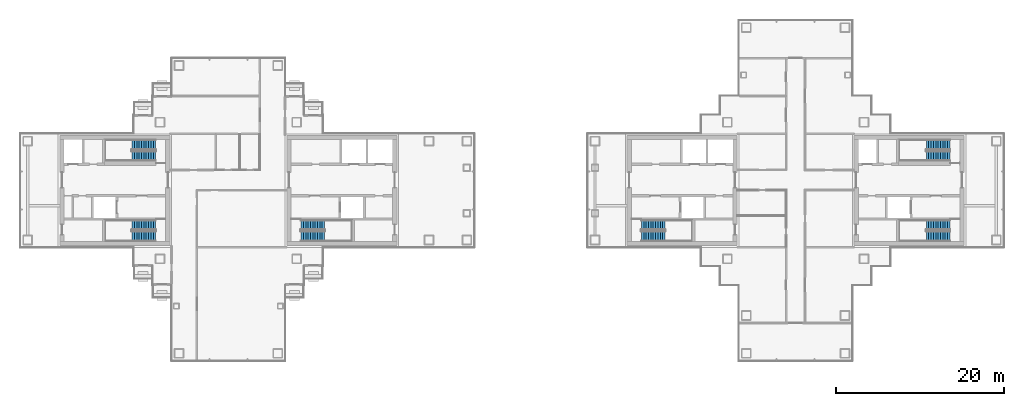
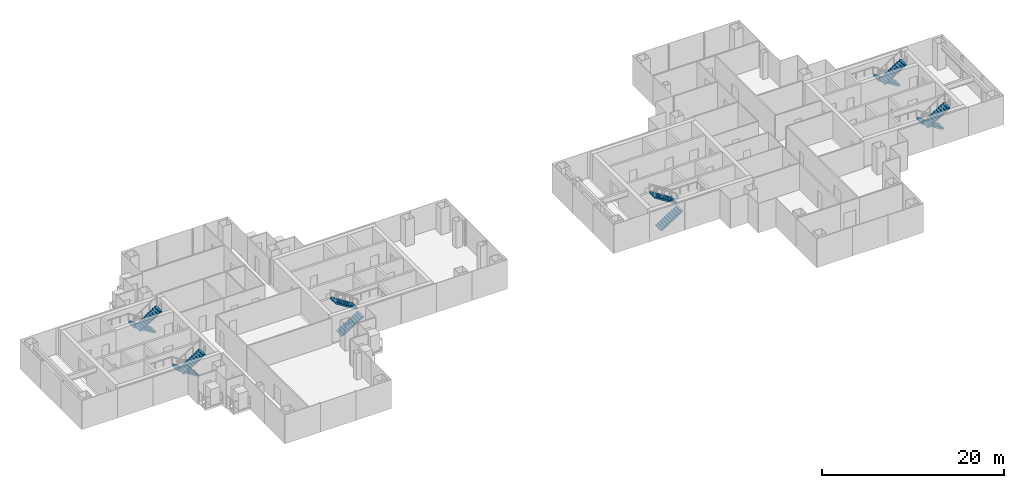
# One storey, part 13 of 16: 12 stair flights, 6 elements without a shape of their own.
"""IFC4 building model written with IfcOpenShell, lengths in metres."""

from ifc_helpers import new_model, si_unit, direction, frame, origin, place, context, subcontext, project, spatial, polyline, outline, extrude, material, type_object, element, aggregate, save


model = new_model("IFC4")

# Units and contexts
model_context = context("Model", 3, precision=1e-05, world=origin(), true_north=direction((0.0, 1.0)))
body_context = subcontext(model_context, "Body", "Model", "MODEL_VIEW")
ifc_project = project(units=[si_unit("LENGTHUNIT", "METRE"), si_unit("AREAUNIT", "SQUARE_METRE"), si_unit("VOLUMEUNIT", "CUBIC_METRE"), si_unit("PLANEANGLEUNIT", "RADIAN"), si_unit("MASSUNIT", "GRAM", prefix="KILO")], contexts=[model_context])

# Site, building, storey
site_placement = place(None, origin())
site = spatial("IfcSite", under=ifc_project, at=site_placement, CompositionType="ELEMENT")
building_placement = place(site_placement, origin())
building = spatial("IfcBuilding", under=site, at=building_placement, Name="Shamsa Quay Exchange Towers", CompositionType="ELEMENT")
storey_placement = place(building_placement, frame((0.0, 0.0, 154.5)))
storey = spatial("IfcBuildingStorey", under=building, at=storey_placement, Name="L36", CompositionType="ELEMENT", Elevation=154.5)

# Stair, stair flights
ifc_material = material(Name="Concrete C40/50", Category="concrete")
stair_type = type_object("IfcStairType", Name="EXIT STAIR 22 RISERS 177 MM", PredefinedType="HALF_TURN_STAIR", material=ifc_material)
stair_1_placement = place(storey_placement, origin())
stair_1 = element("IfcStair", 1, at=stair_1_placement, inside=storey, type_object=stair_type, Name="L36 Exit stair ST1", PredefinedType="HALF_TURN_STAIR")
stair_flight_type = type_object("IfcStairFlightType", Name="EXIT STAIR FLIGHT 11 RISERS 177 MM", PredefinedType="STRAIGHT", material=ifc_material)
stair_flight_1_placement = place(storey_placement, frame((-25.10009765625, -5.449951171875, 0.0)))
stair_flight_1 = element("IfcStairFlight", 2, at=stair_flight_1_placement, type_object=stair_flight_type, Name="ST1 flight 1", NumberOfRisers=11, NumberOfTreads=10, PredefinedType="STRAIGHT", RiserHeight=0.177272727, TreadLength=0.28, context=body_context, shape_type="SweptSolid", body=[
    extrude(outline(polyline([(0.0, 0.0), (0.0, 0.17724609375), (0.280029296875, 0.17724609375), (0.280029296875, 0.3544921875), (0.56005859375, 0.3544921875), (0.56005859375, 0.53173828125), (0.840087890625, 0.53173828125), (0.840087890625, 0.708984375), (1.1201171875, 0.708984375), (1.1201171875, 0.886474609375), (1.39990234375, 0.886474609375), (1.39990234375, 1.063720703125), (1.679931640625, 1.063720703125), (1.679931640625, 1.240966796875), (1.9599609375, 1.240966796875), (1.9599609375, 1.418212890625), (2.239990234375, 1.418212890625), (2.239990234375, 1.595458984375), (2.52001953125, 1.595458984375), (2.52001953125, 1.772705078125), (2.800048828125, 1.772705078125), (2.800048828125, 1.949951171875), (2.800048828125, 1.607177734375), (0.261474609375, 0.0), (0.0, 0.0)])), frame((0.0, 0.60009765625, 0.0), z_axis=(0.0, -1.0, 0.0), x_axis=(1.0, 0.0, 0.0)), (0.0, 0.0, 1.0), 1.199951171875),
])
stair_flight_2_placement = place(storey_placement, frame((-22.300048828125, -4.10009765625, 1.949951171875), z_axis=(0.0, 0.0, 1.0), x_axis=(-1.0, 0.0, 0.0)))
stair_flight_2 = element("IfcStairFlight", 3, at=stair_flight_2_placement, type_object=stair_flight_type, Name="ST1 flight 2", NumberOfRisers=11, NumberOfTreads=10, PredefinedType="STRAIGHT", RiserHeight=0.177272727, TreadLength=0.28, context=body_context, shape_type="SweptSolid", body=[
    extrude(outline(polyline([(0.0, 0.0), (0.0, 0.17724609375), (0.280029296875, 0.17724609375), (0.280029296875, 0.3544921875), (0.56005859375, 0.3544921875), (0.56005859375, 0.53173828125), (0.840087890625, 0.53173828125), (0.840087890625, 0.708984375), (1.1201171875, 0.708984375), (1.1201171875, 0.886474609375), (1.39990234375, 0.886474609375), (1.39990234375, 1.063720703125), (1.679931640625, 1.063720703125), (1.679931640625, 1.240966796875), (1.9599609375, 1.240966796875), (1.9599609375, 1.418212890625), (2.239990234375, 1.418212890625), (2.239990234375, 1.595458984375), (2.52001953125, 1.595458984375), (2.52001953125, 1.772705078125), (2.800048828125, 1.772705078125), (2.800048828125, 1.949951171875), (2.800048828125, 1.607177734375), (0.261474609375, 0.0), (0.0, 0.0)])), frame((0.0, 0.60009765625, 0.0), z_axis=(0.0, -1.0, 0.0), x_axis=(1.0, 0.0, 0.0)), (0.0, 0.0, 1.0), 1.199951171875),
])
aggregate(stair_1, [stair_flight_1, stair_flight_2])

stair_2_placement = place(storey_placement, origin())
stair_2 = element("IfcStair", 4, at=stair_2_placement, inside=storey, type_object=stair_type, Name="L36 Exit stair ST2", PredefinedType="HALF_TURN_STAIR")
stair_flight_3_placement = place(storey_placement, frame((-42.39990234375, -4.10009765625, 0.0), z_axis=(0.0, 0.0, 1.0), x_axis=(-1.0, 0.0, 0.0)))
stair_flight_3 = element("IfcStairFlight", 5, at=stair_flight_3_placement, type_object=stair_flight_type, Name="ST2 flight 1", NumberOfRisers=11, NumberOfTreads=10, PredefinedType="STRAIGHT", RiserHeight=0.177272727, TreadLength=0.28, context=body_context, shape_type="SweptSolid", body=[
    extrude(outline(polyline([(0.0, 0.0), (0.0, 0.17724609375), (0.280029296875, 0.17724609375), (0.280029296875, 0.3544921875), (0.56005859375, 0.3544921875), (0.56005859375, 0.53173828125), (0.840087890625, 0.53173828125), (0.840087890625, 0.708984375), (1.1201171875, 0.708984375), (1.1201171875, 0.886474609375), (1.39990234375, 0.886474609375), (1.39990234375, 1.063720703125), (1.679931640625, 1.063720703125), (1.679931640625, 1.240966796875), (1.9599609375, 1.240966796875), (1.9599609375, 1.418212890625), (2.239990234375, 1.418212890625), (2.239990234375, 1.595458984375), (2.52001953125, 1.595458984375), (2.52001953125, 1.772705078125), (2.800048828125, 1.772705078125), (2.800048828125, 1.949951171875), (2.800048828125, 1.607177734375), (0.261474609375, 0.0), (0.0, 0.0)])), frame((0.0, 0.60009765625, 0.0), z_axis=(0.0, -1.0, 0.0), x_axis=(1.0, 0.0, 0.0)), (0.0, 0.0, 1.0), 1.199951171875),
])
stair_flight_4_placement = place(storey_placement, frame((-45.199951171875, -5.449951171875, 1.949951171875)))
stair_flight_4 = element("IfcStairFlight", 6, at=stair_flight_4_placement, type_object=stair_flight_type, Name="ST2 flight 2", NumberOfRisers=11, NumberOfTreads=10, PredefinedType="STRAIGHT", RiserHeight=0.177272727, TreadLength=0.28, context=body_context, shape_type="SweptSolid", body=[
    extrude(outline(polyline([(0.0, 0.0), (0.0, 0.17724609375), (0.280029296875, 0.17724609375), (0.280029296875, 0.3544921875), (0.56005859375, 0.3544921875), (0.56005859375, 0.53173828125), (0.840087890625, 0.53173828125), (0.840087890625, 0.708984375), (1.1201171875, 0.708984375), (1.1201171875, 0.886474609375), (1.39990234375, 0.886474609375), (1.39990234375, 1.063720703125), (1.679931640625, 1.063720703125), (1.679931640625, 1.240966796875), (1.9599609375, 1.240966796875), (1.9599609375, 1.418212890625), (2.239990234375, 1.418212890625), (2.239990234375, 1.595458984375), (2.52001953125, 1.595458984375), (2.52001953125, 1.772705078125), (2.800048828125, 1.772705078125), (2.800048828125, 1.949951171875), (2.800048828125, 1.607177734375), (0.261474609375, 0.0), (0.0, 0.0)])), frame((0.0, 0.60009765625, 0.0), z_axis=(0.0, -1.0, 0.0), x_axis=(1.0, 0.0, 0.0)), (0.0, 0.0, 1.0), 1.199951171875),
])
aggregate(stair_2, [stair_flight_3, stair_flight_4])

stair_3_placement = place(storey_placement, origin())
stair_3 = element("IfcStair", 7, at=stair_3_placement, inside=storey, type_object=stair_type, Name="L36 Exit stair ST3", PredefinedType="HALF_TURN_STAIR")
stair_flight_5_placement = place(storey_placement, frame((-42.39990234375, 5.449951171875, 0.0), z_axis=(0.0, 0.0, 1.0), x_axis=(-1.0, 0.0, 0.0)))
stair_flight_5 = element("IfcStairFlight", 8, at=stair_flight_5_placement, type_object=stair_flight_type, Name="ST3 flight 1", NumberOfRisers=11, NumberOfTreads=10, PredefinedType="STRAIGHT", RiserHeight=0.177272727, TreadLength=0.28, context=body_context, shape_type="SweptSolid", body=[
    extrude(outline(polyline([(0.0, 0.0), (0.0, 0.17724609375), (0.280029296875, 0.17724609375), (0.280029296875, 0.3544921875), (0.56005859375, 0.3544921875), (0.56005859375, 0.53173828125), (0.840087890625, 0.53173828125), (0.840087890625, 0.708984375), (1.1201171875, 0.708984375), (1.1201171875, 0.886474609375), (1.39990234375, 0.886474609375), (1.39990234375, 1.063720703125), (1.679931640625, 1.063720703125), (1.679931640625, 1.240966796875), (1.9599609375, 1.240966796875), (1.9599609375, 1.418212890625), (2.239990234375, 1.418212890625), (2.239990234375, 1.595458984375), (2.52001953125, 1.595458984375), (2.52001953125, 1.772705078125), (2.800048828125, 1.772705078125), (2.800048828125, 1.949951171875), (2.800048828125, 1.607177734375), (0.261474609375, 0.0), (0.0, 0.0)])), frame((0.0, 0.60009765625, 0.0), z_axis=(0.0, -1.0, 0.0), x_axis=(1.0, 0.0, 0.0)), (0.0, 0.0, 1.0), 1.199951171875),
])
stair_flight_6_placement = place(storey_placement, frame((-45.199951171875, 4.10009765625, 1.949951171875)))
stair_flight_6 = element("IfcStairFlight", 9, at=stair_flight_6_placement, type_object=stair_flight_type, Name="ST3 flight 2", NumberOfRisers=11, NumberOfTreads=10, PredefinedType="STRAIGHT", RiserHeight=0.177272727, TreadLength=0.28, context=body_context, shape_type="SweptSolid", body=[
    extrude(outline(polyline([(0.0, 0.0), (0.0, 0.17724609375), (0.280029296875, 0.17724609375), (0.280029296875, 0.3544921875), (0.56005859375, 0.3544921875), (0.56005859375, 0.53173828125), (0.840087890625, 0.53173828125), (0.840087890625, 0.708984375), (1.1201171875, 0.708984375), (1.1201171875, 0.886474609375), (1.39990234375, 0.886474609375), (1.39990234375, 1.063720703125), (1.679931640625, 1.063720703125), (1.679931640625, 1.240966796875), (1.9599609375, 1.240966796875), (1.9599609375, 1.418212890625), (2.239990234375, 1.418212890625), (2.239990234375, 1.595458984375), (2.52001953125, 1.595458984375), (2.52001953125, 1.772705078125), (2.800048828125, 1.772705078125), (2.800048828125, 1.949951171875), (2.800048828125, 1.607177734375), (0.261474609375, 0.0), (0.0, 0.0)])), frame((0.0, 0.60009765625, 0.0), z_axis=(0.0, -1.0, 0.0), x_axis=(1.0, 0.0, 0.0)), (0.0, 0.0, 1.0), 1.199951171875),
])
aggregate(stair_3, [stair_flight_5, stair_flight_6])

stair_4_placement = place(storey_placement, origin())
stair_4 = element("IfcStair", 10, at=stair_4_placement, inside=storey, type_object=stair_type, Name="L36 Exit stair ST4", PredefinedType="HALF_TURN_STAIR")
stair_flight_7_placement = place(storey_placement, frame((15.39990234375, -5.449951171875, 0.0)))
stair_flight_7 = element("IfcStairFlight", 11, at=stair_flight_7_placement, type_object=stair_flight_type, Name="ST4 flight 1", NumberOfRisers=11, NumberOfTreads=10, PredefinedType="STRAIGHT", RiserHeight=0.177272727, TreadLength=0.28, context=body_context, shape_type="SweptSolid", body=[
    extrude(outline(polyline([(0.0, 0.0), (0.0, 0.17724609375), (0.280029296875, 0.17724609375), (0.280029296875, 0.3544921875), (0.56005859375, 0.3544921875), (0.56005859375, 0.53173828125), (0.840087890625, 0.53173828125), (0.840087890625, 0.708984375), (1.1201171875, 0.708984375), (1.1201171875, 0.886474609375), (1.39990234375, 0.886474609375), (1.39990234375, 1.063720703125), (1.679931640625, 1.063720703125), (1.679931640625, 1.240966796875), (1.9599609375, 1.240966796875), (1.9599609375, 1.418212890625), (2.239990234375, 1.418212890625), (2.239990234375, 1.595458984375), (2.52001953125, 1.595458984375), (2.52001953125, 1.772705078125), (2.800048828125, 1.772705078125), (2.800048828125, 1.949951171875), (2.800048828125, 1.607177734375), (0.261474609375, 0.0), (0.0, 0.0)])), frame((0.0, 0.60009765625, 0.0), z_axis=(0.0, -1.0, 0.0), x_axis=(1.0, 0.0, 0.0)), (0.0, 0.0, 1.0), 1.199951171875),
])
stair_flight_8_placement = place(storey_placement, frame((18.199951171875, -4.10009765625, 1.949951171875), z_axis=(0.0, 0.0, 1.0), x_axis=(-1.0, 0.0, 0.0)))
stair_flight_8 = element("IfcStairFlight", 12, at=stair_flight_8_placement, type_object=stair_flight_type, Name="ST4 flight 2", NumberOfRisers=11, NumberOfTreads=10, PredefinedType="STRAIGHT", RiserHeight=0.177272727, TreadLength=0.28, context=body_context, shape_type="SweptSolid", body=[
    extrude(outline(polyline([(0.0, 0.0), (0.0, 0.17724609375), (0.280029296875, 0.17724609375), (0.280029296875, 0.3544921875), (0.56005859375, 0.3544921875), (0.56005859375, 0.53173828125), (0.840087890625, 0.53173828125), (0.840087890625, 0.708984375), (1.1201171875, 0.708984375), (1.1201171875, 0.886474609375), (1.39990234375, 0.886474609375), (1.39990234375, 1.063720703125), (1.679931640625, 1.063720703125), (1.679931640625, 1.240966796875), (1.9599609375, 1.240966796875), (1.9599609375, 1.418212890625), (2.239990234375, 1.418212890625), (2.239990234375, 1.595458984375), (2.52001953125, 1.595458984375), (2.52001953125, 1.772705078125), (2.800048828125, 1.772705078125), (2.800048828125, 1.949951171875), (2.800048828125, 1.607177734375), (0.261474609375, 0.0), (0.0, 0.0)])), frame((0.0, 0.60009765625, 0.0), z_axis=(0.0, -1.0, 0.0), x_axis=(1.0, 0.0, 0.0)), (0.0, 0.0, 1.0), 1.199951171875),
])
aggregate(stair_4, [stair_flight_7, stair_flight_8])

stair_5_placement = place(storey_placement, origin())
stair_5 = element("IfcStair", 13, at=stair_5_placement, inside=storey, type_object=stair_type, Name="L36 Exit stair ST5", PredefinedType="HALF_TURN_STAIR")
stair_flight_9_placement = place(storey_placement, frame((52.10009765625, -4.10009765625, 0.0), z_axis=(0.0, 0.0, 1.0), x_axis=(-1.0, 0.0, 0.0)))
stair_flight_9 = element("IfcStairFlight", 14, at=stair_flight_9_placement, type_object=stair_flight_type, Name="ST5 flight 1", NumberOfRisers=11, NumberOfTreads=10, PredefinedType="STRAIGHT", RiserHeight=0.177272727, TreadLength=0.28, context=body_context, shape_type="SweptSolid", body=[
    extrude(outline(polyline([(0.0, 0.0), (0.0, 0.17724609375), (0.280029296875, 0.17724609375), (0.280029296875, 0.3544921875), (0.56005859375, 0.3544921875), (0.56005859375, 0.53173828125), (0.840087890625, 0.53173828125), (0.840087890625, 0.708984375), (1.1201171875, 0.708984375), (1.1201171875, 0.886474609375), (1.39990234375, 0.886474609375), (1.39990234375, 1.063720703125), (1.679931640625, 1.063720703125), (1.679931640625, 1.240966796875), (1.9599609375, 1.240966796875), (1.9599609375, 1.418212890625), (2.239990234375, 1.418212890625), (2.239990234375, 1.595458984375), (2.52001953125, 1.595458984375), (2.52001953125, 1.772705078125), (2.800048828125, 1.772705078125), (2.800048828125, 1.949951171875), (2.800048828125, 1.607177734375), (0.261474609375, 0.0), (0.0, 0.0)])), frame((0.0, 0.60009765625, 0.0), z_axis=(0.0, -1.0, 0.0), x_axis=(1.0, 0.0, 0.0)), (0.0, 0.0, 1.0), 1.199951171875),
])
stair_flight_10_placement = place(storey_placement, frame((49.300048828125, -5.449951171875, 1.949951171875)))
stair_flight_10 = element("IfcStairFlight", 15, at=stair_flight_10_placement, type_object=stair_flight_type, Name="ST5 flight 2", NumberOfRisers=11, NumberOfTreads=10, PredefinedType="STRAIGHT", RiserHeight=0.177272727, TreadLength=0.28, context=body_context, shape_type="SweptSolid", body=[
    extrude(outline(polyline([(0.0, 0.0), (0.0, 0.17724609375), (0.280029296875, 0.17724609375), (0.280029296875, 0.3544921875), (0.56005859375, 0.3544921875), (0.56005859375, 0.53173828125), (0.840087890625, 0.53173828125), (0.840087890625, 0.708984375), (1.1201171875, 0.708984375), (1.1201171875, 0.886474609375), (1.39990234375, 0.886474609375), (1.39990234375, 1.063720703125), (1.679931640625, 1.063720703125), (1.679931640625, 1.240966796875), (1.9599609375, 1.240966796875), (1.9599609375, 1.418212890625), (2.239990234375, 1.418212890625), (2.239990234375, 1.595458984375), (2.52001953125, 1.595458984375), (2.52001953125, 1.772705078125), (2.800048828125, 1.772705078125), (2.800048828125, 1.949951171875), (2.800048828125, 1.607177734375), (0.261474609375, 0.0), (0.0, 0.0)])), frame((0.0, 0.60009765625, 0.0), z_axis=(0.0, -1.0, 0.0), x_axis=(1.0, 0.0, 0.0)), (0.0, 0.0, 1.0), 1.199951171875),
])
aggregate(stair_5, [stair_flight_9, stair_flight_10])

stair_6_placement = place(storey_placement, origin())
stair_6 = element("IfcStair", 16, at=stair_6_placement, inside=storey, type_object=stair_type, Name="L36 Exit stair ST6", PredefinedType="HALF_TURN_STAIR")
stair_flight_11_placement = place(storey_placement, frame((52.10009765625, 5.449951171875, 0.0), z_axis=(0.0, 0.0, 1.0), x_axis=(-1.0, 0.0, 0.0)))
stair_flight_11 = element("IfcStairFlight", 17, at=stair_flight_11_placement, type_object=stair_flight_type, Name="ST6 flight 1", NumberOfRisers=11, NumberOfTreads=10, PredefinedType="STRAIGHT", RiserHeight=0.177272727, TreadLength=0.28, context=body_context, shape_type="SweptSolid", body=[
    extrude(outline(polyline([(0.0, 0.0), (0.0, 0.17724609375), (0.280029296875, 0.17724609375), (0.280029296875, 0.3544921875), (0.56005859375, 0.3544921875), (0.56005859375, 0.53173828125), (0.840087890625, 0.53173828125), (0.840087890625, 0.708984375), (1.1201171875, 0.708984375), (1.1201171875, 0.886474609375), (1.39990234375, 0.886474609375), (1.39990234375, 1.063720703125), (1.679931640625, 1.063720703125), (1.679931640625, 1.240966796875), (1.9599609375, 1.240966796875), (1.9599609375, 1.418212890625), (2.239990234375, 1.418212890625), (2.239990234375, 1.595458984375), (2.52001953125, 1.595458984375), (2.52001953125, 1.772705078125), (2.800048828125, 1.772705078125), (2.800048828125, 1.949951171875), (2.800048828125, 1.607177734375), (0.261474609375, 0.0), (0.0, 0.0)])), frame((0.0, 0.60009765625, 0.0), z_axis=(0.0, -1.0, 0.0), x_axis=(1.0, 0.0, 0.0)), (0.0, 0.0, 1.0), 1.199951171875),
])
stair_flight_12_placement = place(storey_placement, frame((49.300048828125, 4.10009765625, 1.949951171875)))
stair_flight_12 = element("IfcStairFlight", 18, at=stair_flight_12_placement, type_object=stair_flight_type, Name="ST6 flight 2", NumberOfRisers=11, NumberOfTreads=10, PredefinedType="STRAIGHT", RiserHeight=0.177272727, TreadLength=0.28, context=body_context, shape_type="SweptSolid", body=[
    extrude(outline(polyline([(0.0, 0.0), (0.0, 0.17724609375), (0.280029296875, 0.17724609375), (0.280029296875, 0.3544921875), (0.56005859375, 0.3544921875), (0.56005859375, 0.53173828125), (0.840087890625, 0.53173828125), (0.840087890625, 0.708984375), (1.1201171875, 0.708984375), (1.1201171875, 0.886474609375), (1.39990234375, 0.886474609375), (1.39990234375, 1.063720703125), (1.679931640625, 1.063720703125), (1.679931640625, 1.240966796875), (1.9599609375, 1.240966796875), (1.9599609375, 1.418212890625), (2.239990234375, 1.418212890625), (2.239990234375, 1.595458984375), (2.52001953125, 1.595458984375), (2.52001953125, 1.772705078125), (2.800048828125, 1.772705078125), (2.800048828125, 1.949951171875), (2.800048828125, 1.607177734375), (0.261474609375, 0.0), (0.0, 0.0)])), frame((0.0, 0.60009765625, 0.0), z_axis=(0.0, -1.0, 0.0), x_axis=(1.0, 0.0, 0.0)), (0.0, 0.0, 1.0), 1.199951171875),
])
aggregate(stair_6, [stair_flight_11, stair_flight_12])

save(model, "model.ifc")
